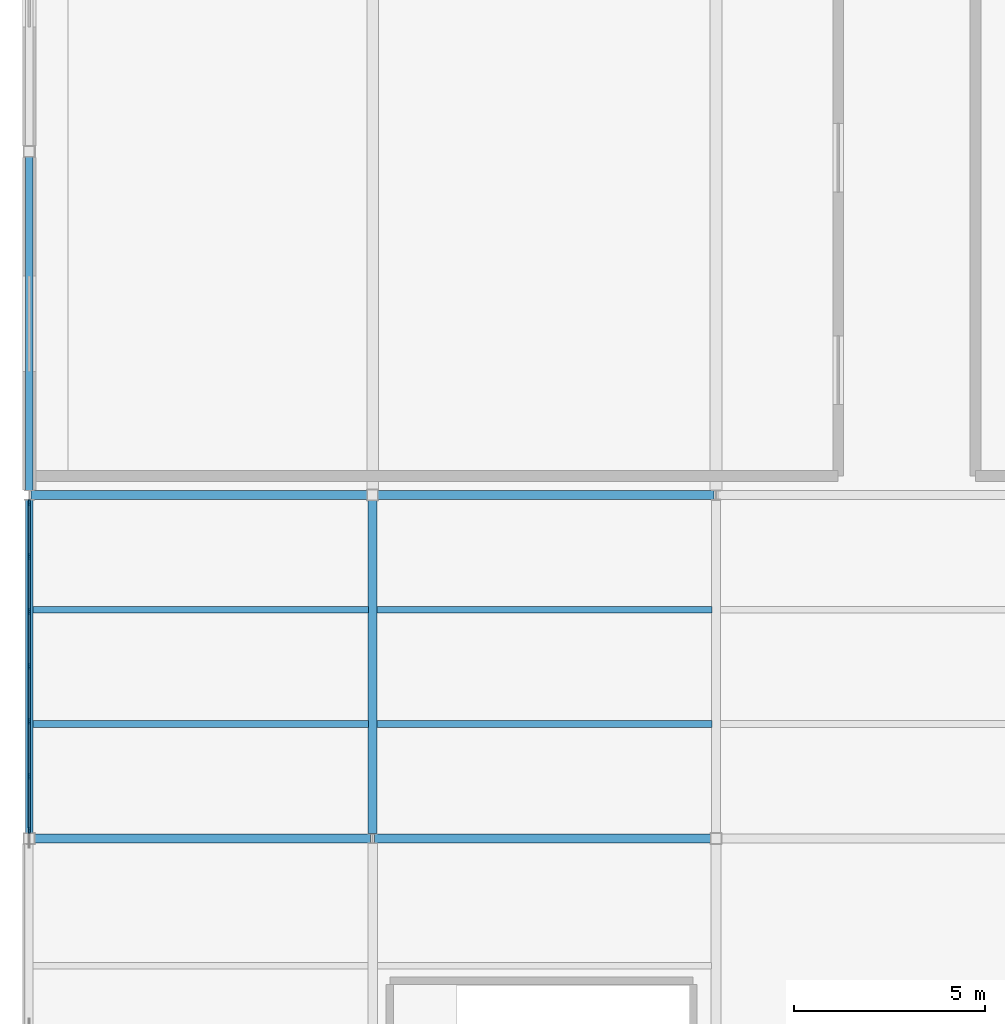
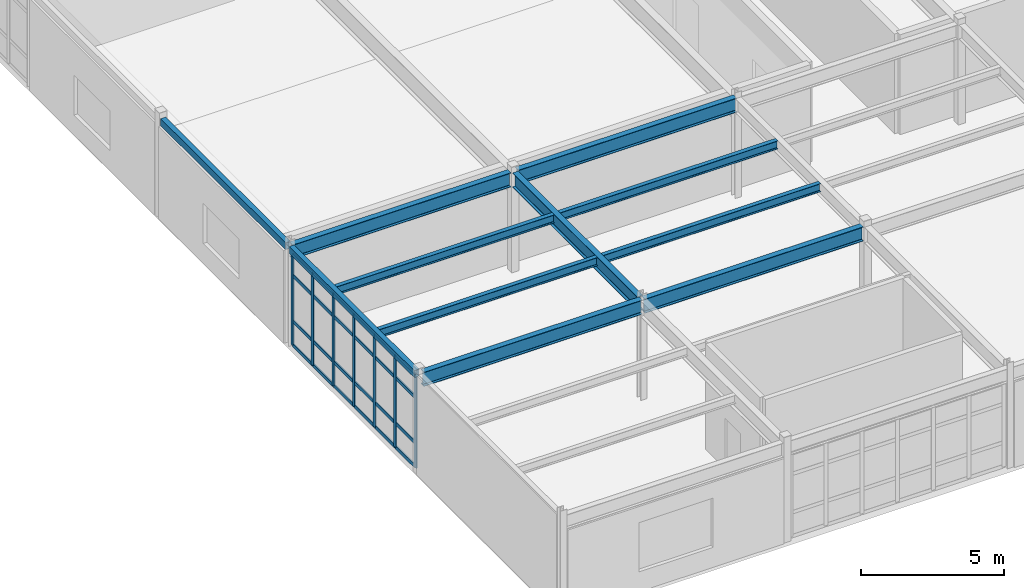
# One storey, part 27 of 81: 31 members, 11 beams, 1 element without a shape of its own.
"""IFC4 building model written with IfcOpenShell, lengths in metres."""

from ifc_helpers import new_model, si_unit, direction, frame, origin, origin_2d, place, context, subcontext, project, spatial, rectangle, hollow_rectangle, i_section, extrude, material, material_profile, profile_set, type_object, element, aggregate, save


model = new_model("IFC4")

# Units and contexts
model_context = context("Model", 3, precision=1e-05, world=origin(), true_north=direction((0.0, 1.0)))
body_context = subcontext(model_context, "Body", "Model", "MODEL_VIEW")
ifc_project = project(units=[si_unit("LENGTHUNIT", "METRE"), si_unit("AREAUNIT", "SQUARE_METRE"), si_unit("VOLUMEUNIT", "CUBIC_METRE"), si_unit("PLANEANGLEUNIT", "RADIAN"), si_unit("MASSUNIT", "GRAM", prefix="KILO")], contexts=[model_context])

# Site, building, storey
site_placement = place(None, origin())
site = spatial("IfcSite", under=ifc_project, at=site_placement, CompositionType="ELEMENT")
building_placement = place(site_placement, origin())
building = spatial("IfcBuilding", under=site, at=building_placement, Name="Glasvene Arena", CompositionType="ELEMENT")
storey_placement = place(building_placement, frame((0.0, 0.0, 15.0)))
storey = spatial("IfcBuildingStorey", under=building, at=storey_placement, Name="L03", CompositionType="ELEMENT", Elevation=15.0)

# Beams
ifc_material_1 = material(Name="Steel S355J2", Category="steel")
ifc_material_profile_1 = material_profile(ifc_material_1, i_section(OverallWidth=0.228271484375, OverallDepth=0.607666015625, WebThickness=0.010986328125, FlangeThickness=0.017333984375, FilletRadius=0.0126953125, at=origin_2d()), Name="UKB 610x229x113")
ifc_profile_set_1 = profile_set([ifc_material_profile_1], Name="Steel S355J2")
beam_type_1 = type_object("IfcBeamType", Name="BM-GIRD-610", PredefinedType="BEAM", material=ifc_profile_set_1)
for number, where, z_axis, x_axis, name in (
    (1, (0.14501953125, 64.0, 3.9462890625), (1.0, 0.0, 0.0), (0.0, 1.0, 0.0), "Primary X girder L03-0946"),
    (2, (9.050048828125, 64.0, 3.9462890625), (1.0, 0.0, 0.0), (0.0, 1.0, 0.0), "Primary X girder L03-0947"),
    (3, (0.050048828125, 73.0, 3.9462890625), (1.0, 0.0, 0.0), (0.0, 1.0, 0.0), "Primary X girder L03-0949"),
    (4, (9.14501953125, 73.0, 3.9462890625), (1.0, 0.0, 0.0), (0.0, 1.0, 0.0), "Primary X girder L03-0950"),
):
    element("IfcBeam", number, at=place(storey_placement, frame(where, z_axis=z_axis, x_axis=x_axis)), inside=storey, type_object=beam_type_1, Name=name, PredefinedType="BEAM", context=body_context, shape_type="SweptSolid", body=[
        extrude(i_section(OverallWidth=0.228271484375, OverallDepth=0.607666015625, WebThickness=0.010986328125, FlangeThickness=0.017333984375, FilletRadius=0.0126953125, at=origin_2d()), origin(), (0.0, 0.0, 1.0), 8.804931640625),
    ])
beam_placement = place(storey_placement, frame((9.0, 64.125244140625, 3.9462890625), z_axis=(0.0, 1.0, 0.0), x_axis=(-1.0, 0.0, 0.0)))
element("IfcBeam", 5, at=beam_placement, inside=storey, type_object=beam_type_1, Name="Primary Y girder L03-0970", PredefinedType="BEAM", context=body_context, shape_type="SweptSolid", body=[
    extrude(i_section(OverallWidth=0.228271484375, OverallDepth=0.607666015625, WebThickness=0.010986328125, FlangeThickness=0.017333984375, FilletRadius=0.0126953125, at=origin_2d()), origin(), (0.0, 0.0, 1.0), 8.729736328125),
])
ifc_material_profile_2 = material_profile(ifc_material_1, i_section(OverallWidth=0.17138671875, OverallDepth=0.35498046875, WebThickness=0.00732421875, FlangeThickness=0.011474609375, FilletRadius=0.01025390625, at=origin_2d()), Name="UKB 356x171x51")
ifc_profile_set_2 = profile_set([ifc_material_profile_2], Name="Steel S355J2")
beam_type_2 = type_object("IfcBeamType", Name="BM-JOIST-356", PredefinedType="JOIST", material=ifc_profile_set_2)
for number, where, z_axis, x_axis, name in (
    (6, (0.095947265625, 67.0, 4.072509765625), (1.0, 0.0, 0.0), (0.0, 1.0, 0.0), "Composite floor joist L03-0989"),
    (7, (0.095947265625, 70.0, 4.072509765625), (1.0, 0.0, 0.0), (0.0, 1.0, 0.0), "Composite floor joist L03-0990"),
):
    element("IfcBeam", number, at=place(storey_placement, frame(where, z_axis=z_axis, x_axis=x_axis)), inside=storey, type_object=beam_type_2, Name=name, PredefinedType="JOIST", context=body_context, shape_type="SweptSolid", body=[
        extrude(i_section(OverallWidth=0.17138671875, OverallDepth=0.35498046875, WebThickness=0.00732421875, FlangeThickness=0.011474609375, FilletRadius=0.01025390625, at=origin_2d()), origin(), (0.0, 0.0, 1.0), 8.7939453125),
    ])
for number, where, z_axis, x_axis, name in (
    (8, (9.110107421875, 67.0, 4.072509765625), (1.0, 0.0, 0.0), (0.0, 1.0, 0.0), "Composite floor joist L03-0994"),
    (9, (9.110107421875, 70.0, 4.072509765625), (1.0, 0.0, 0.0), (0.0, 1.0, 0.0), "Composite floor joist L03-0995"),
):
    element("IfcBeam", number, at=place(storey_placement, frame(where, z_axis=z_axis, x_axis=x_axis)), inside=storey, type_object=beam_type_2, Name=name, PredefinedType="JOIST", context=body_context, shape_type="SweptSolid", body=[
        extrude(i_section(OverallWidth=0.17138671875, OverallDepth=0.35498046875, WebThickness=0.00732421875, FlangeThickness=0.011474609375, FilletRadius=0.01025390625, at=origin_2d()), origin(), (0.0, 0.0, 1.0), 8.77978515625),
    ])
ifc_material_profile_3 = material_profile(ifc_material_1, hollow_rectangle(XDim=0.199951171875, YDim=0.300048828125, WallThickness=0.012451171875, at=origin_2d()), Name="RHS 300x200x12.5")
ifc_profile_set_3 = profile_set([ifc_material_profile_3], Name="Steel S355J2")
beam_type_3 = type_object("IfcBeamType", Name="BM-SPAND-300", PredefinedType="SPANDREL", material=ifc_profile_set_3)
for number, where, z_axis, x_axis, name in (
    (10, (0.0, 64.14501953125, 4.10009765625), (0.0, 1.0, 0.0), (-1.0, 0.0, 0.0), "Primary Y girder L03-0963"),
    (11, (0.0, 73.125244140625, 4.10009765625), (0.0, 1.0, 0.0), (-1.0, 0.0, 0.0), "Primary Y girder L03-0964"),
):
    element("IfcBeam", number, at=place(storey_placement, frame(where, z_axis=z_axis, x_axis=x_axis)), inside=storey, type_object=beam_type_3, Name=name, PredefinedType="SPANDREL", context=body_context, shape_type="SweptSolid", body=[
        extrude(hollow_rectangle(XDim=0.199951171875, YDim=0.300048828125, WallThickness=0.012451171875, at=origin_2d()), origin(), (0.0, 0.0, 1.0), 8.729736328125),
    ])

# Curtain wall, members
ifc_material_2 = material(Name="Low-emissivity laminated double glazing", Category="glass")
curtain_wall_type = type_object("IfcCurtainWallType", Name="CW-FAC-L03-864x388", PredefinedType="USERDEFINED", material=ifc_material_2)
curtain_wall_placement = place(storey_placement, frame((0.0, 64.19189453125, 0.0)))
curtain_wall = element("IfcCurtainWall", 12, at=curtain_wall_placement, inside=storey, type_object=curtain_wall_type, Name="Unitised curtain wall CW-F-L03-150-0-685-4", ObjectType="CURTAIN WALL", PredefinedType="USERDEFINED")
ifc_material_3 = material(Name="Anodised architectural aluminium", Category="aluminium")
ifc_material_profile_4 = material_profile(ifc_material_3, rectangle(XDim=0.050048828125, YDim=0.159912109375, at=origin_2d()), Name="ALU MULLION 50x160")
ifc_profile_set_4 = profile_set([ifc_material_profile_4], Name="Anodised architectural aluminium")
member_type_1 = type_object("IfcMemberType", Name="CW-MUL-150", PredefinedType="MULLION", material=ifc_profile_set_4)
member_1_placement = place(storey_placement, frame((0.0, 64.217041015625, 0.06005859375), z_axis=(0.0, 0.0, 1.0), x_axis=(-1.0, 0.0, 0.0)))
member_1 = element("IfcMember", 13, at=member_1_placement, type_object=member_type_1, Name="CW-033 mullion 1", PredefinedType="MULLION", context=body_context, shape_type="SweptSolid", body=[
    extrude(rectangle(XDim=0.050048828125, YDim=0.159912109375, at=origin_2d()), origin(), (0.0, 0.0, 1.0), 3.885009765625),
])
member_2_placement = place(storey_placement, frame((0.0, 65.63134765625, 0.06005859375), z_axis=(0.0, 0.0, 1.0), x_axis=(-1.0, 0.0, 0.0)))
member_2 = element("IfcMember", 14, at=member_2_placement, type_object=member_type_1, Name="CW-033 mullion 2", PredefinedType="MULLION", context=body_context, shape_type="SweptSolid", body=[
    extrude(rectangle(XDim=0.050048828125, YDim=0.159912109375, at=origin_2d()), origin(), (0.0, 0.0, 1.0), 3.885009765625),
])
member_3_placement = place(storey_placement, frame((0.0, 67.070556640625, 0.06005859375), z_axis=(0.0, 0.0, 1.0), x_axis=(-1.0, 0.0, 0.0)))
member_3 = element("IfcMember", 15, at=member_3_placement, type_object=member_type_1, Name="CW-033 mullion 3", PredefinedType="MULLION", context=body_context, shape_type="SweptSolid", body=[
    extrude(rectangle(XDim=0.050048828125, YDim=0.159912109375, at=origin_2d()), origin(), (0.0, 0.0, 1.0), 3.885009765625),
])
member_4_placement = place(storey_placement, frame((0.0, 68.510009765625, 0.06005859375), z_axis=(0.0, 0.0, 1.0), x_axis=(-1.0, 0.0, 0.0)))
member_4 = element("IfcMember", 16, at=member_4_placement, type_object=member_type_1, Name="CW-033 mullion 4", PredefinedType="MULLION", context=body_context, shape_type="SweptSolid", body=[
    extrude(rectangle(XDim=0.050048828125, YDim=0.159912109375, at=origin_2d()), origin(), (0.0, 0.0, 1.0), 3.885009765625),
])
member_5_placement = place(storey_placement, frame((0.0, 69.94921875, 0.06005859375), z_axis=(0.0, 0.0, 1.0), x_axis=(-1.0, 0.0, 0.0)))
member_5 = element("IfcMember", 17, at=member_5_placement, type_object=member_type_1, Name="CW-033 mullion 5", PredefinedType="MULLION", context=body_context, shape_type="SweptSolid", body=[
    extrude(rectangle(XDim=0.050048828125, YDim=0.159912109375, at=origin_2d()), origin(), (0.0, 0.0, 1.0), 3.885009765625),
])
member_6_placement = place(storey_placement, frame((0.0, 71.388671875, 0.06005859375), z_axis=(0.0, 0.0, 1.0), x_axis=(-1.0, 0.0, 0.0)))
member_6 = element("IfcMember", 18, at=member_6_placement, type_object=member_type_1, Name="CW-033 mullion 6", PredefinedType="MULLION", context=body_context, shape_type="SweptSolid", body=[
    extrude(rectangle(XDim=0.050048828125, YDim=0.159912109375, at=origin_2d()), origin(), (0.0, 0.0, 1.0), 3.885009765625),
])
member_7_placement = place(storey_placement, frame((0.0, 72.802978515625, 0.06005859375), z_axis=(0.0, 0.0, 1.0), x_axis=(-1.0, 0.0, 0.0)))
member_7 = element("IfcMember", 19, at=member_7_placement, type_object=member_type_1, Name="CW-033 mullion 7", PredefinedType="MULLION", context=body_context, shape_type="SweptSolid", body=[
    extrude(rectangle(XDim=0.050048828125, YDim=0.159912109375, at=origin_2d()), origin(), (0.0, 0.0, 1.0), 3.885009765625),
])
ifc_material_profile_5 = material_profile(ifc_material_3, rectangle(XDim=0.050048828125, YDim=0.14990234375, at=origin_2d()), Name="ALU TRANSOM 50x150")
ifc_profile_set_5 = profile_set([ifc_material_profile_5], Name="Anodised architectural aluminium")
member_type_2 = type_object("IfcMemberType", Name="CW-TRN-150", PredefinedType="USERDEFINED", material=ifc_profile_set_5)
member_8_placement = place(storey_placement, frame((0.0, 64.241943359375, 0.0849609375), z_axis=(0.0, 1.0, 0.0), x_axis=(-1.0, 0.0, 0.0)))
member_8 = element("IfcMember", 20, at=member_8_placement, type_object=member_type_2, Name="CW-033 transom 1.1", ObjectType="TRANSOM", PredefinedType="USERDEFINED", context=body_context, shape_type="SweptSolid", body=[
    extrude(rectangle(XDim=0.050048828125, YDim=0.14990234375, at=origin_2d()), origin(), (0.0, 0.0, 1.0), 1.3642578125),
])
member_9_placement = place(storey_placement, frame((0.0, 64.241943359375, 1.10009765625), z_axis=(0.0, 1.0, 0.0), x_axis=(-1.0, 0.0, 0.0)))
member_9 = element("IfcMember", 21, at=member_9_placement, type_object=member_type_2, Name="CW-033 transom 1.2", ObjectType="TRANSOM", PredefinedType="USERDEFINED", context=body_context, shape_type="SweptSolid", body=[
    extrude(rectangle(XDim=0.050048828125, YDim=0.14990234375, at=origin_2d()), origin(), (0.0, 0.0, 1.0), 1.3642578125),
])
member_10_placement = place(storey_placement, frame((0.0, 64.241943359375, 3.044921875), z_axis=(0.0, 1.0, 0.0), x_axis=(-1.0, 0.0, 0.0)))
member_10 = element("IfcMember", 22, at=member_10_placement, type_object=member_type_2, Name="CW-033 transom 1.3", ObjectType="TRANSOM", PredefinedType="USERDEFINED", context=body_context, shape_type="SweptSolid", body=[
    extrude(rectangle(XDim=0.050048828125, YDim=0.14990234375, at=origin_2d()), origin(), (0.0, 0.0, 1.0), 1.3642578125),
])
member_11_placement = place(storey_placement, frame((0.0, 64.241943359375, 3.919921875), z_axis=(0.0, 1.0, 0.0), x_axis=(-1.0, 0.0, 0.0)))
member_11 = element("IfcMember", 23, at=member_11_placement, type_object=member_type_2, Name="CW-033 transom 1.4", ObjectType="TRANSOM", PredefinedType="USERDEFINED", context=body_context, shape_type="SweptSolid", body=[
    extrude(rectangle(XDim=0.050048828125, YDim=0.14990234375, at=origin_2d()), origin(), (0.0, 0.0, 1.0), 1.3642578125),
])
member_12_placement = place(storey_placement, frame((0.0, 65.65625, 0.0849609375), z_axis=(0.0, 1.0, 0.0), x_axis=(-1.0, 0.0, 0.0)))
member_12 = element("IfcMember", 24, at=member_12_placement, type_object=member_type_2, Name="CW-033 transom 2.1", ObjectType="TRANSOM", PredefinedType="USERDEFINED", context=body_context, shape_type="SweptSolid", body=[
    extrude(rectangle(XDim=0.050048828125, YDim=0.14990234375, at=origin_2d()), origin(), (0.0, 0.0, 1.0), 1.389404296875),
])
member_13_placement = place(storey_placement, frame((0.0, 65.65625, 1.10009765625), z_axis=(0.0, 1.0, 0.0), x_axis=(-1.0, 0.0, 0.0)))
member_13 = element("IfcMember", 25, at=member_13_placement, type_object=member_type_2, Name="CW-033 transom 2.2", ObjectType="TRANSOM", PredefinedType="USERDEFINED", context=body_context, shape_type="SweptSolid", body=[
    extrude(rectangle(XDim=0.050048828125, YDim=0.14990234375, at=origin_2d()), origin(), (0.0, 0.0, 1.0), 1.389404296875),
])
member_14_placement = place(storey_placement, frame((0.0, 65.65625, 3.044921875), z_axis=(0.0, 1.0, 0.0), x_axis=(-1.0, 0.0, 0.0)))
member_14 = element("IfcMember", 26, at=member_14_placement, type_object=member_type_2, Name="CW-033 transom 2.3", ObjectType="TRANSOM", PredefinedType="USERDEFINED", context=body_context, shape_type="SweptSolid", body=[
    extrude(rectangle(XDim=0.050048828125, YDim=0.14990234375, at=origin_2d()), origin(), (0.0, 0.0, 1.0), 1.389404296875),
])
member_15_placement = place(storey_placement, frame((0.0, 65.65625, 3.919921875), z_axis=(0.0, 1.0, 0.0), x_axis=(-1.0, 0.0, 0.0)))
member_15 = element("IfcMember", 27, at=member_15_placement, type_object=member_type_2, Name="CW-033 transom 2.4", ObjectType="TRANSOM", PredefinedType="USERDEFINED", context=body_context, shape_type="SweptSolid", body=[
    extrude(rectangle(XDim=0.050048828125, YDim=0.14990234375, at=origin_2d()), origin(), (0.0, 0.0, 1.0), 1.389404296875),
])
member_16_placement = place(storey_placement, frame((0.0, 67.095703125, 0.0849609375), z_axis=(0.0, 1.0, 0.0), x_axis=(-1.0, 0.0, 0.0)))
member_16 = element("IfcMember", 28, at=member_16_placement, type_object=member_type_2, Name="CW-033 transom 3.1", ObjectType="TRANSOM", PredefinedType="USERDEFINED", context=body_context, shape_type="SweptSolid", body=[
    extrude(rectangle(XDim=0.050048828125, YDim=0.14990234375, at=origin_2d()), origin(), (0.0, 0.0, 1.0), 1.38916015625),
])
member_17_placement = place(storey_placement, frame((0.0, 67.095703125, 1.10009765625), z_axis=(0.0, 1.0, 0.0), x_axis=(-1.0, 0.0, 0.0)))
member_17 = element("IfcMember", 29, at=member_17_placement, type_object=member_type_2, Name="CW-033 transom 3.2", ObjectType="TRANSOM", PredefinedType="USERDEFINED", context=body_context, shape_type="SweptSolid", body=[
    extrude(rectangle(XDim=0.050048828125, YDim=0.14990234375, at=origin_2d()), origin(), (0.0, 0.0, 1.0), 1.38916015625),
])
member_18_placement = place(storey_placement, frame((0.0, 67.095703125, 3.044921875), z_axis=(0.0, 1.0, 0.0), x_axis=(-1.0, 0.0, 0.0)))
member_18 = element("IfcMember", 30, at=member_18_placement, type_object=member_type_2, Name="CW-033 transom 3.3", ObjectType="TRANSOM", PredefinedType="USERDEFINED", context=body_context, shape_type="SweptSolid", body=[
    extrude(rectangle(XDim=0.050048828125, YDim=0.14990234375, at=origin_2d()), origin(), (0.0, 0.0, 1.0), 1.38916015625),
])
member_19_placement = place(storey_placement, frame((0.0, 67.095703125, 3.919921875), z_axis=(0.0, 1.0, 0.0), x_axis=(-1.0, 0.0, 0.0)))
member_19 = element("IfcMember", 31, at=member_19_placement, type_object=member_type_2, Name="CW-033 transom 3.4", ObjectType="TRANSOM", PredefinedType="USERDEFINED", context=body_context, shape_type="SweptSolid", body=[
    extrude(rectangle(XDim=0.050048828125, YDim=0.14990234375, at=origin_2d()), origin(), (0.0, 0.0, 1.0), 1.38916015625),
])
member_20_placement = place(storey_placement, frame((0.0, 68.534912109375, 0.0849609375), z_axis=(0.0, 1.0, 0.0), x_axis=(-1.0, 0.0, 0.0)))
member_20 = element("IfcMember", 32, at=member_20_placement, type_object=member_type_2, Name="CW-033 transom 4.1", ObjectType="TRANSOM", PredefinedType="USERDEFINED", context=body_context, shape_type="SweptSolid", body=[
    extrude(rectangle(XDim=0.050048828125, YDim=0.14990234375, at=origin_2d()), origin(), (0.0, 0.0, 1.0), 1.389404296875),
])
member_21_placement = place(storey_placement, frame((0.0, 68.534912109375, 1.10009765625), z_axis=(0.0, 1.0, 0.0), x_axis=(-1.0, 0.0, 0.0)))
member_21 = element("IfcMember", 33, at=member_21_placement, type_object=member_type_2, Name="CW-033 transom 4.2", ObjectType="TRANSOM", PredefinedType="USERDEFINED", context=body_context, shape_type="SweptSolid", body=[
    extrude(rectangle(XDim=0.050048828125, YDim=0.14990234375, at=origin_2d()), origin(), (0.0, 0.0, 1.0), 1.389404296875),
])
member_22_placement = place(storey_placement, frame((0.0, 68.534912109375, 3.044921875), z_axis=(0.0, 1.0, 0.0), x_axis=(-1.0, 0.0, 0.0)))
member_22 = element("IfcMember", 34, at=member_22_placement, type_object=member_type_2, Name="CW-033 transom 4.3", ObjectType="TRANSOM", PredefinedType="USERDEFINED", context=body_context, shape_type="SweptSolid", body=[
    extrude(rectangle(XDim=0.050048828125, YDim=0.14990234375, at=origin_2d()), origin(), (0.0, 0.0, 1.0), 1.389404296875),
])
member_23_placement = place(storey_placement, frame((0.0, 68.534912109375, 3.919921875), z_axis=(0.0, 1.0, 0.0), x_axis=(-1.0, 0.0, 0.0)))
member_23 = element("IfcMember", 35, at=member_23_placement, type_object=member_type_2, Name="CW-033 transom 4.4", ObjectType="TRANSOM", PredefinedType="USERDEFINED", context=body_context, shape_type="SweptSolid", body=[
    extrude(rectangle(XDim=0.050048828125, YDim=0.14990234375, at=origin_2d()), origin(), (0.0, 0.0, 1.0), 1.389404296875),
])
member_24_placement = place(storey_placement, frame((0.0, 69.974365234375, 0.0849609375), z_axis=(0.0, 1.0, 0.0), x_axis=(-1.0, 0.0, 0.0)))
member_24 = element("IfcMember", 36, at=member_24_placement, type_object=member_type_2, Name="CW-033 transom 5.1", ObjectType="TRANSOM", PredefinedType="USERDEFINED", context=body_context, shape_type="SweptSolid", body=[
    extrude(rectangle(XDim=0.050048828125, YDim=0.14990234375, at=origin_2d()), origin(), (0.0, 0.0, 1.0), 1.38916015625),
])
member_25_placement = place(storey_placement, frame((0.0, 69.974365234375, 1.10009765625), z_axis=(0.0, 1.0, 0.0), x_axis=(-1.0, 0.0, 0.0)))
member_25 = element("IfcMember", 37, at=member_25_placement, type_object=member_type_2, Name="CW-033 transom 5.2", ObjectType="TRANSOM", PredefinedType="USERDEFINED", context=body_context, shape_type="SweptSolid", body=[
    extrude(rectangle(XDim=0.050048828125, YDim=0.14990234375, at=origin_2d()), origin(), (0.0, 0.0, 1.0), 1.38916015625),
])
member_26_placement = place(storey_placement, frame((0.0, 69.974365234375, 3.044921875), z_axis=(0.0, 1.0, 0.0), x_axis=(-1.0, 0.0, 0.0)))
member_26 = element("IfcMember", 38, at=member_26_placement, type_object=member_type_2, Name="CW-033 transom 5.3", ObjectType="TRANSOM", PredefinedType="USERDEFINED", context=body_context, shape_type="SweptSolid", body=[
    extrude(rectangle(XDim=0.050048828125, YDim=0.14990234375, at=origin_2d()), origin(), (0.0, 0.0, 1.0), 1.38916015625),
])
member_27_placement = place(storey_placement, frame((0.0, 69.974365234375, 3.919921875), z_axis=(0.0, 1.0, 0.0), x_axis=(-1.0, 0.0, 0.0)))
member_27 = element("IfcMember", 39, at=member_27_placement, type_object=member_type_2, Name="CW-033 transom 5.4", ObjectType="TRANSOM", PredefinedType="USERDEFINED", context=body_context, shape_type="SweptSolid", body=[
    extrude(rectangle(XDim=0.050048828125, YDim=0.14990234375, at=origin_2d()), origin(), (0.0, 0.0, 1.0), 1.38916015625),
])
member_28_placement = place(storey_placement, frame((0.0, 71.41357421875, 0.0849609375), z_axis=(0.0, 1.0, 0.0), x_axis=(-1.0, 0.0, 0.0)))
member_28 = element("IfcMember", 40, at=member_28_placement, type_object=member_type_2, Name="CW-033 transom 6.1", ObjectType="TRANSOM", PredefinedType="USERDEFINED", context=body_context, shape_type="SweptSolid", body=[
    extrude(rectangle(XDim=0.050048828125, YDim=0.14990234375, at=origin_2d()), origin(), (0.0, 0.0, 1.0), 1.3642578125),
])
member_29_placement = place(storey_placement, frame((0.0, 71.41357421875, 1.10009765625), z_axis=(0.0, 1.0, 0.0), x_axis=(-1.0, 0.0, 0.0)))
member_29 = element("IfcMember", 41, at=member_29_placement, type_object=member_type_2, Name="CW-033 transom 6.2", ObjectType="TRANSOM", PredefinedType="USERDEFINED", context=body_context, shape_type="SweptSolid", body=[
    extrude(rectangle(XDim=0.050048828125, YDim=0.14990234375, at=origin_2d()), origin(), (0.0, 0.0, 1.0), 1.3642578125),
])
member_30_placement = place(storey_placement, frame((0.0, 71.41357421875, 3.044921875), z_axis=(0.0, 1.0, 0.0), x_axis=(-1.0, 0.0, 0.0)))
member_30 = element("IfcMember", 42, at=member_30_placement, type_object=member_type_2, Name="CW-033 transom 6.3", ObjectType="TRANSOM", PredefinedType="USERDEFINED", context=body_context, shape_type="SweptSolid", body=[
    extrude(rectangle(XDim=0.050048828125, YDim=0.14990234375, at=origin_2d()), origin(), (0.0, 0.0, 1.0), 1.3642578125),
])
member_31_placement = place(storey_placement, frame((0.0, 71.41357421875, 3.919921875), z_axis=(0.0, 1.0, 0.0), x_axis=(-1.0, 0.0, 0.0)))
member_31 = element("IfcMember", 43, at=member_31_placement, type_object=member_type_2, Name="CW-033 transom 6.4", ObjectType="TRANSOM", PredefinedType="USERDEFINED", context=body_context, shape_type="SweptSolid", body=[
    extrude(rectangle(XDim=0.050048828125, YDim=0.14990234375, at=origin_2d()), origin(), (0.0, 0.0, 1.0), 1.3642578125),
])
aggregate(curtain_wall, [member_1, member_2, member_3, member_4, member_5, member_6, member_7, member_8, member_9, member_10, member_11, member_12, member_13, member_14, member_15, member_16, member_17, member_18, member_19, member_20, member_21, member_22, member_23, member_24, member_25, member_26, member_27, member_28, member_29, member_30, member_31])

save(model, "model.ifc")
